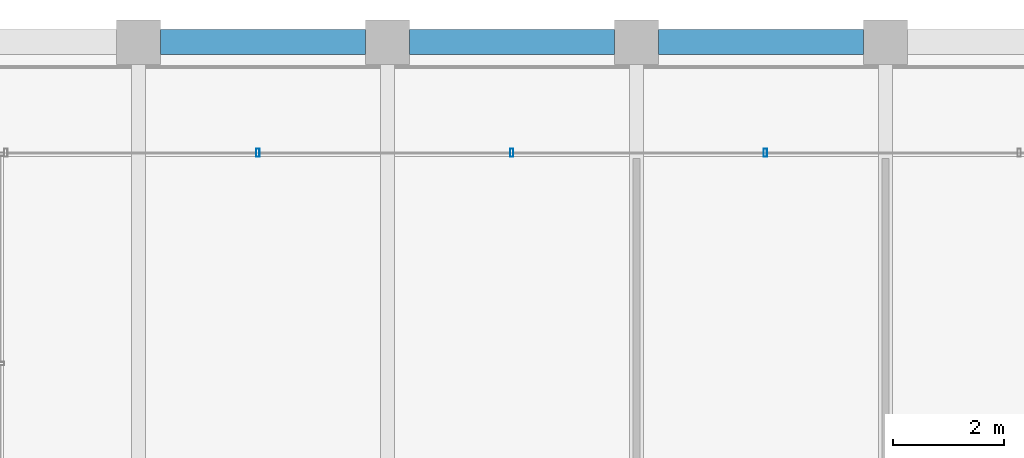
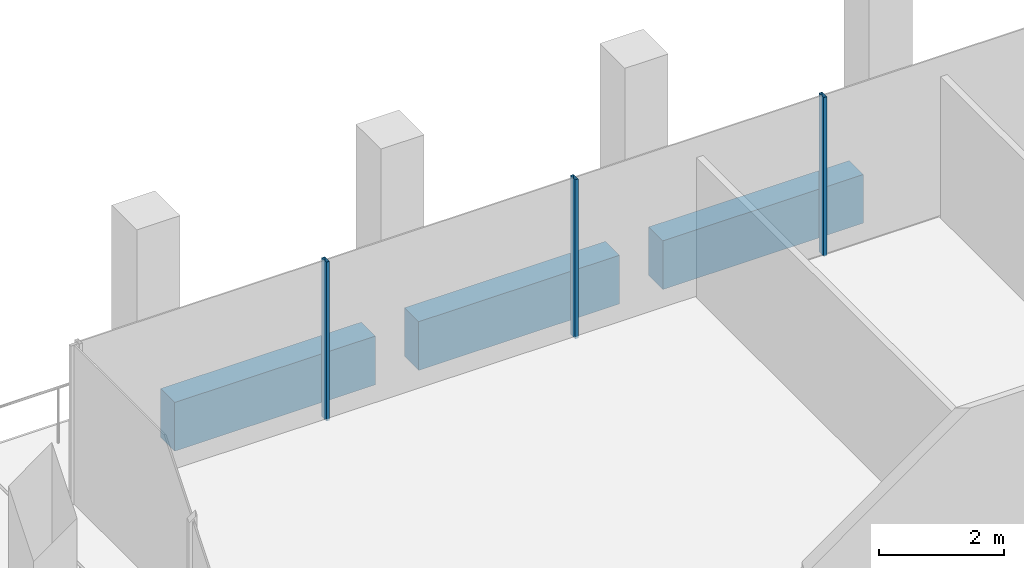
# One storey, part 23 of 40: 3 beams, 3 members, 1 element without a shape of its own.
"""IFC4 building model written with IfcOpenShell, lengths in metres."""

import ifcopenshell
import ifcopenshell.guid

model = None  # the IFC model being written
_history = None  # IfcOwnerHistory: only IFC2X3 demands one
_inside = {}  # id of a spatial element -> (the spatial element, [elements in it])
_under = {}  # id of a project, library or spatial element -> (it, [spatial elements below it])
_declared = {}  # id of a project -> (the project, [libraries it declares])
_typed = {}  # id of a type object -> (the type object, [elements of that type])
_made_of = {}  # id of a material, layer set ... -> (it, [elements and type objects made of it])


def new_model(schema):
    """Start an empty IFC model of exactly this schema.

    Asked for "IFC4X3", IfcOpenShell would pick the latest addendum, in which some entities
    have other attributes; the version numbers below select the first issue.
    IFC2X3 requires an IfcOwnerHistory on every rooted entity: one is made here for all.
    """
    global model, _history
    if schema == "IFC4X3":
        model = ifcopenshell.file(schema_version=(4, 3, 0, 0))
    else:
        model = ifcopenshell.file(schema=schema)
    _inside.clear()
    _under.clear()
    _declared.clear()
    _typed.clear()
    _made_of.clear()
    _history = None
    if model.schema == "IFC2X3":
        org = make("IfcOrganization", Name="unknown")
        user = make(
            "IfcPersonAndOrganization",
            ThePerson=make("IfcPerson", FamilyName="unknown"),
            TheOrganization=org,
        )
        app = make(
            "IfcApplication",
            ApplicationDeveloper=org,
            Version="unknown",
            ApplicationFullName="unknown",
            ApplicationIdentifier="unknown",
        )
        _history = make(
            "IfcOwnerHistory",
            OwningUser=user,
            OwningApplication=app,
            ChangeAction="ADDED",
            CreationDate=0,
        )
    return model


def make(cls, **values):
    """One entity of the class cls with the attributes given. An attribute that is None is left unset."""
    return model.create_entity(
        cls, **{name: value for name, value in values.items() if value is not None}
    )


def rooted(cls, **values):
    """An entity with a GlobalId (a new one), such as an element, a storey or a relation."""
    return make(cls, GlobalId=ifcopenshell.guid.new(), OwnerHistory=_history, **values)


def si_unit(unit_type, name, prefix=None):
    """IfcSIUnit, for example si_unit("LENGTHUNIT", "METRE", prefix="MILLI")."""
    return make("IfcSIUnit", UnitType=unit_type, Prefix=prefix, Name=name)


def assignment(units):
    """IfcUnitAssignment: the units of a project."""
    return None if units is None else make("IfcUnitAssignment", Units=units)


def point(xyz):
    """IfcCartesianPoint."""
    return None if xyz is None else make("IfcCartesianPoint", Coordinates=xyz)


def direction(xyz):
    """IfcDirection."""
    return None if xyz is None else make("IfcDirection", DirectionRatios=xyz)


def frame(location, z_axis=None, x_axis=None):
    """IfcAxis2Placement3D, a coordinate frame: its origin and axes. An axis left out is left unset."""
    return make(
        "IfcAxis2Placement3D",
        Location=point(location),
        Axis=direction(z_axis),
        RefDirection=direction(x_axis),
    )


def frame_2d(location, x_axis=None):
    """IfcAxis2Placement2D, a coordinate frame in the plane: its origin and x axis."""
    return make(
        "IfcAxis2Placement2D", Location=point(location), RefDirection=direction(x_axis)
    )


def origin():
    """The frame at (0, 0, 0) with its axes left unset."""
    return frame((0.0, 0.0, 0.0))


def origin_2d():
    """The frame at (0, 0) in the plane with its x axis left unset."""
    return frame_2d((0.0, 0.0))


def place(relative_to, where):
    """IfcLocalPlacement: puts the frame where relative to a parent placement (None: the world)."""
    return make(
        "IfcLocalPlacement", PlacementRelTo=relative_to, RelativePlacement=where
    )


def context(
    kind, dimensions, precision=None, world=None, true_north=None, identifier=None
):
    """IfcGeometricRepresentationContext, for example the 3D "Model" context."""
    return make(
        "IfcGeometricRepresentationContext",
        ContextIdentifier=identifier,
        ContextType=kind,
        CoordinateSpaceDimension=dimensions,
        Precision=precision,
        WorldCoordinateSystem=world,
        TrueNorth=true_north,
    )


def subcontext(parent, identifier, kind, view, scale=None):
    """IfcGeometricRepresentationSubContext, for example "Body" below "Model"."""
    return make(
        "IfcGeometricRepresentationSubContext",
        ContextIdentifier=identifier,
        ContextType=kind,
        ParentContext=parent,
        TargetScale=scale,
        TargetView=view,
    )


def project(units=None, contexts=None):
    """IfcProject with its units and contexts."""
    return rooted(
        "IfcProject",
        Name="project",
        RepresentationContexts=contexts,
        UnitsInContext=assignment(units),
    )


def spatial(cls, under=None, at=None, **own):
    """A site, building, storey or space (cls), placed at a placement, below another one or the project."""
    s = rooted(cls, ObjectPlacement=at, **own)
    if under is not None:
        _under.setdefault(under.id(), (under, []))[1].append(s)
    return s


def profile(cls, at=None, kind="AREA", **sizes):
    """A parametric profile (cls). Its sizes go by their IFC names, for example OverallWidth=200.0."""
    return make(cls, ProfileType=kind, Position=at, **sizes)


def rectangle(**sizes):
    """IfcRectangleProfileDef."""
    return profile("IfcRectangleProfileDef", **sizes)


def hollow_rectangle(**sizes):
    """IfcRectangleHollowProfileDef."""
    return profile("IfcRectangleHollowProfileDef", **sizes)


def extrude(swept, where, along, depth):
    """IfcExtrudedAreaSolid: the profile swept, set in the frame where, extruded along a direction by depth."""
    return make(
        "IfcExtrudedAreaSolid",
        SweptArea=swept,
        Position=where,
        ExtrudedDirection=direction(along),
        Depth=depth,
    )


def shape(context_of_items, identifier, shape_type, items):
    """IfcShapeRepresentation: the items that make up one representation, for example the "Body"."""
    return make(
        "IfcShapeRepresentation",
        ContextOfItems=context_of_items,
        RepresentationIdentifier=identifier,
        RepresentationType=shape_type,
        Items=items,
    )


def material(Name=None, Category=None):
    """IfcMaterial."""
    return make("IfcMaterial", Name=Name, Category=Category)


def material_profile(
    of_material, cross_section, Name=None, Category=None, Priority=None
):
    """IfcMaterialProfile: a cross section and its material."""
    return make(
        "IfcMaterialProfile",
        Name=Name,
        Material=of_material,
        Profile=cross_section,
        Priority=Priority,
        Category=Category,
    )


def profile_set(profiles, Name=None, composite=None):
    """IfcMaterialProfileSet."""
    return make(
        "IfcMaterialProfileSet",
        Name=Name,
        MaterialProfiles=profiles,
        CompositeProfile=composite,
    )


def made_of(thing, what):
    """Note that an element or type object is made of a material, layer set ...; save() writes the relation."""
    if what is not None:
        _made_of.setdefault(what.id(), (what, []))[1].append(thing)
    return thing


def type_object(cls, material=None, **own):
    """A type object (cls), such as IfcWallType, which elements share."""
    return made_of(rooted(cls, **own), material)


def element(
    cls,
    number,
    at=None,
    inside=None,
    cuts=None,
    type_object=None,
    material=None,
    context=None,
    identifier="Body",
    shape_type=None,
    held_by="IfcProductDefinitionShape",
    body=None,
    shapes=None,
    **own,
):
    """One element of the class cls, such as IfcWall. Its Tag is "e" and its number.

    at: its placement. inside: the storey or other place that contains it. cuts: it is an
    opening in that element (IfcRelVoidsElement). A single representation is given by context,
    identifier, shape_type and body (its items); several are given by shapes. held_by: the class
    of the entity that holds the representations. save() writes the other relations.
    """
    e = rooted(cls, Tag="e%d" % number, ObjectPlacement=at, **own)
    if body is not None:
        shapes = [shape(context, identifier, shape_type, body)]
    if shapes is not None:
        e.Representation = make(held_by, Representations=shapes)
    if inside is not None:
        _inside.setdefault(inside.id(), (inside, []))[1].append(e)
    if cuts is not None:
        rooted(
            "IfcRelVoidsElement", RelatingBuildingElement=cuts, RelatedOpeningElement=e
        )
    if type_object is not None:
        _typed.setdefault(type_object.id(), (type_object, []))[1].append(e)
    return made_of(e, material)


def aggregate(whole, parts):
    """IfcRelAggregates: a whole, such as a stair, and the parts it consists of."""
    return rooted("IfcRelAggregates", RelatingObject=whole, RelatedObjects=parts)


def save(model, path):
    """Write the relations noted so far, then the file.

    IfcRelAggregates (storeys below a building ...), IfcRelContainedInSpatialStructure (elements
    in a storey), IfcRelDefinesByType, IfcRelAssociatesMaterial and IfcRelDeclares: one each for
    every whole, place, type object, material and project.
    """
    for whole, parts in _under.values():
        aggregate(whole, parts)
    for where, things in _inside.values():
        rooted(
            "IfcRelContainedInSpatialStructure",
            RelatedElements=things,
            RelatingStructure=where,
        )
    for kind, things in _typed.values():
        rooted("IfcRelDefinesByType", RelatedObjects=things, RelatingType=kind)
    for what, things in _made_of.values():
        rooted("IfcRelAssociatesMaterial", RelatedObjects=things, RelatingMaterial=what)
    for by, libraries in _declared.values():
        rooted("IfcRelDeclares", RelatingContext=by, RelatedDefinitions=libraries)
    model.write(path)


model = new_model("IFC4")

# Units and contexts
model_context = context("Model", 3, precision=1e-05, world=origin(), true_north=direction((0.0, 1.0)))
body_context = subcontext(model_context, "Body", "Model", "MODEL_VIEW")
ifc_project = project(units=[si_unit("LENGTHUNIT", "METRE"), si_unit("AREAUNIT", "SQUARE_METRE"), si_unit("VOLUMEUNIT", "CUBIC_METRE"), si_unit("PLANEANGLEUNIT", "RADIAN"), si_unit("MASSUNIT", "GRAM", prefix="KILO")], contexts=[model_context])

# Site, building, storey
site_placement = place(None, origin())
site = spatial("IfcSite", under=ifc_project, at=site_placement, CompositionType="ELEMENT")
building_placement = place(site_placement, origin())
building = spatial("IfcBuilding", under=site, at=building_placement, Name="Altepetl Exchange Towers", CompositionType="ELEMENT")
storey_placement = place(building_placement, frame((0.0, 0.0, 202.800048828125)))
storey = spatial("IfcBuildingStorey", under=building, at=storey_placement, Name="L51", CompositionType="ELEMENT", Elevation=202.800048828125)

# Curtain wall, members
ifc_material_1 = material(Name="Aluminium 6063-T6 glazing", Category="aluminium")
curtain_wall_type = type_object("IfcCurtainWallType", Name="Loggia glazing system", PredefinedType="NOTDEFINED", material=ifc_material_1)
curtain_wall_placement = place(storey_placement, origin())
curtain_wall = element("IfcCurtainWall", 1, at=curtain_wall_placement, inside=storey, type_object=curtain_wall_type, Name="CW1 run", PredefinedType="NOTDEFINED")
ifc_material_2 = material(Name="Aluminium 6063-T6", Category="aluminium")
ifc_material_profile_1 = material_profile(ifc_material_2, hollow_rectangle(XDim=0.06005859375, YDim=0.14990234375, WallThickness=0.0029296875, at=origin_2d()), Name="Mullion 60x150 aluminium")
ifc_profile_set_1 = profile_set([ifc_material_profile_1], Name="Aluminium 6063-T6")
member_type = type_object("IfcMemberType", Name="Mullion 60x150 aluminium", PredefinedType="MULLION", material=ifc_profile_set_1)
member_1_placement = place(storey_placement, frame((56.330078125, 70.0, 0.0), z_axis=(0.0, 0.0, 1.0), x_axis=(-1.0, 0.0, 0.0)))
member_1 = element("IfcMember", 2, at=member_1_placement, type_object=member_type, Name="MU1 mullion", PredefinedType="MULLION", context=body_context, shape_type="SweptSolid", body=[
    extrude(hollow_rectangle(XDim=0.06005859375, YDim=0.14990234375, WallThickness=0.0029296875, at=origin_2d()), origin(), (0.0, 0.0, 1.0), 3.099853515625),
])
member_2_placement = place(storey_placement, frame((51.7451171875, 70.0, 0.0), z_axis=(0.0, 0.0, 1.0), x_axis=(-1.0, 0.0, 0.0)))
member_2 = element("IfcMember", 3, at=member_2_placement, type_object=member_type, Name="MU1 mullion", PredefinedType="MULLION", context=body_context, shape_type="SweptSolid", body=[
    extrude(hollow_rectangle(XDim=0.06005859375, YDim=0.14990234375, WallThickness=0.0029296875, at=origin_2d()), origin(), (0.0, 0.0, 1.0), 3.099853515625),
])
member_3_placement = place(storey_placement, frame((47.159912109375, 70.0, 0.0), z_axis=(0.0, 0.0, 1.0), x_axis=(-1.0, 0.0, 0.0)))
member_3 = element("IfcMember", 4, at=member_3_placement, type_object=member_type, Name="MU1 mullion", PredefinedType="MULLION", context=body_context, shape_type="SweptSolid", body=[
    extrude(hollow_rectangle(XDim=0.06005859375, YDim=0.14990234375, WallThickness=0.0029296875, at=origin_2d()), origin(), (0.0, 0.0, 1.0), 3.099853515625),
])
aggregate(curtain_wall, [member_1, member_2, member_3])

# Beams
ifc_material_3 = material(Name="Concrete C50/60 precast with cantera rosa facing", Category="concrete")
ifc_material_profile_2 = material_profile(ifc_material_3, rectangle(XDim=0.449951171875, YDim=0.949951171875, at=origin_2d()), Name="450 x 950")
ifc_profile_set_2 = profile_set([ifc_material_profile_2], Name="Concrete C50/60 precast with cantera rosa facing")
beam_type = type_object("IfcBeamType", Name="Spandrel beam 450x950 cantera rosa", PredefinedType="SPANDREL", material=ifc_profile_set_2)
for number, where, z_axis, x_axis, name in (
    (5, (58.10009765625, 72.0, -0.625), (-1.0, 0.0, 0.0), (0.0, -1.0, 0.0), "sp:A:L51:026"),
    (6, (53.60009765625, 72.0, -0.625), (-1.0, 0.0, 0.0), (0.0, -1.0, 0.0), "sp:A:L51:027"),
    (7, (49.10009765625, 72.0, -0.625), (-1.0, 0.0, 0.0), (0.0, -1.0, 0.0), "sp:A:L51:028"),
):
    element("IfcBeam", number, at=place(storey_placement, frame(where, z_axis=z_axis, x_axis=x_axis)), inside=storey, type_object=beam_type, Name=name, PredefinedType="SPANDREL", context=body_context, shape_type="SweptSolid", body=[
        extrude(rectangle(XDim=0.449951171875, YDim=0.949951171875, at=origin_2d()), origin(), (0.0, 0.0, 1.0), 3.7001953125),
    ])

save(model, "model.ifc")
